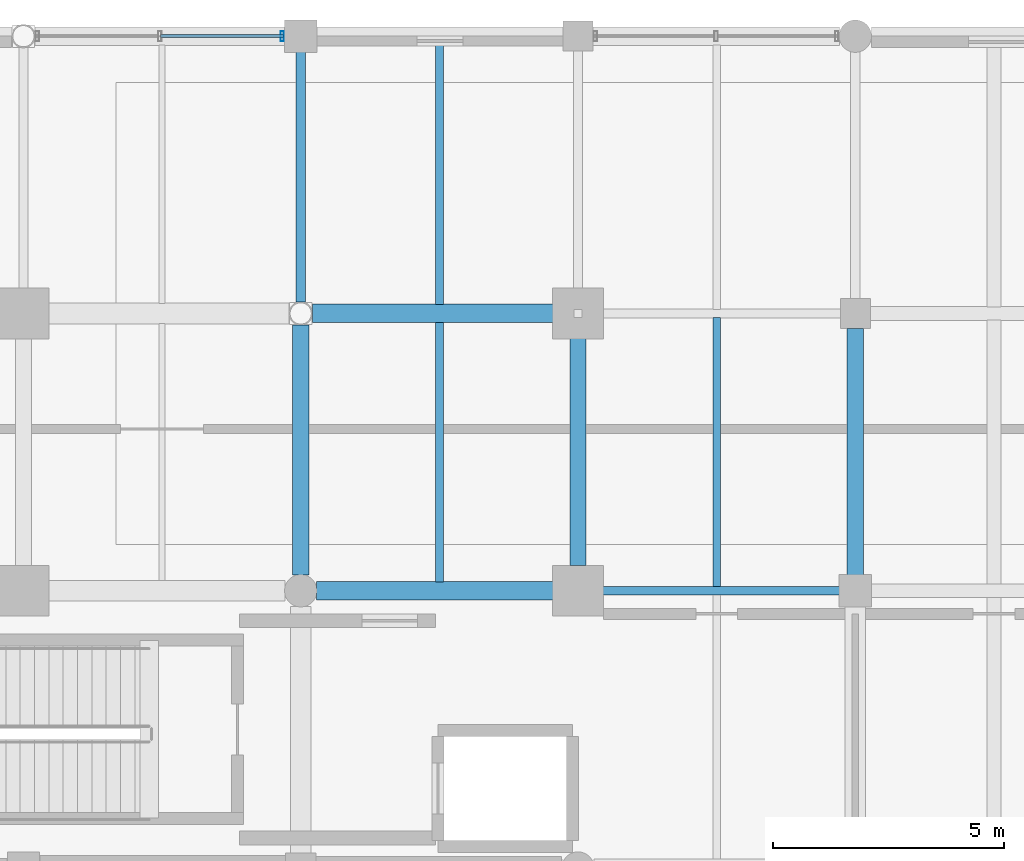
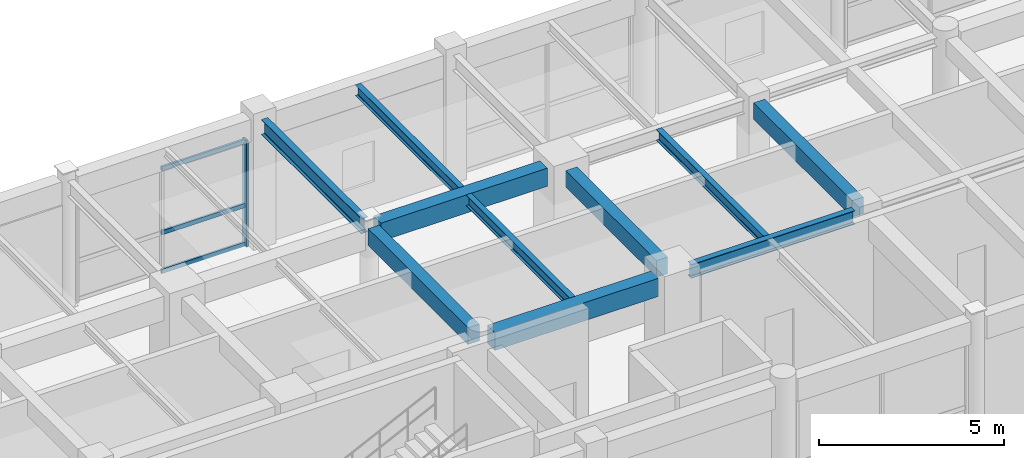
# One storey, part 45 of 116: 10 beams, 4 members, 1 element without a shape of its own.
"""IFC4 building model written with IfcOpenShell, lengths in metres."""

from ifc_helpers import new_model, si_unit, direction, frame, origin, origin_2d, place, context, subcontext, project, spatial, rectangle, hollow_rectangle, i_section, extrude, material, material_profile, profile_set, type_object, element, aggregate, save


model = new_model("IFC4")

# Units and contexts
model_context = context("Model", 3, precision=1e-05, world=origin(), true_north=direction((0.0, 1.0)))
body_context = subcontext(model_context, "Body", "Model", "MODEL_VIEW")
ifc_project = project(units=[si_unit("LENGTHUNIT", "METRE"), si_unit("AREAUNIT", "SQUARE_METRE"), si_unit("VOLUMEUNIT", "CUBIC_METRE"), si_unit("PLANEANGLEUNIT", "RADIAN"), si_unit("MASSUNIT", "GRAM", prefix="KILO"), si_unit("THERMODYNAMICTEMPERATUREUNIT", "KELVIN"), si_unit("POWERUNIT", "WATT")], contexts=[model_context])

# Site, building, storey
site_placement = place(None, origin())
site = spatial("IfcSite", under=ifc_project, at=site_placement, CompositionType="ELEMENT")
building_placement = place(site_placement, origin())
building = spatial("IfcBuilding", under=site, at=building_placement, Name="Phaisarnlok Congress Hotel", CompositionType="ELEMENT")
storey_placement = place(building_placement, frame((0.0, 0.0, 10.5)))
storey = spatial("IfcBuildingStorey", under=building, at=storey_placement, Name="L02", CompositionType="ELEMENT", Elevation=10.5)

# Beams
ifc_material_1 = material(Name="Concrete C40/50", Category="concrete")
ifc_material_profile_1 = material_profile(ifc_material_1, rectangle(XDim=0.35009765625, YDim=0.550048828125, at=origin_2d()), Name="RC 350x550")
ifc_profile_set_1 = profile_set([ifc_material_profile_1], Name="Concrete C40/50")
beam_type_1 = type_object("IfcBeamType", Name="BM-RC-350x550", PredefinedType="BEAM", material=ifc_profile_set_1)
beam_1_placement = place(storey_placement, frame((114.0, 114.344970703125, 3.965087890625), z_axis=(0.0, 1.0, 0.0), x_axis=(-1.0, 0.0, 0.0)))
element("IfcBeam", 1, at=beam_1_placement, inside=storey, type_object=beam_type_1, Name="Beam B-01", PredefinedType="BEAM", context=body_context, shape_type="SweptSolid", body=[
    extrude(rectangle(XDim=0.35009765625, YDim=0.550048828125, at=origin_2d()), origin(), (0.0, 0.0, 1.0), 5.406005859375),
])
beam_2_placement = place(storey_placement, frame((120.0, 114.544921875, 3.965087890625), z_axis=(0.0, 1.0, 0.0), x_axis=(-1.0, 0.0, 0.0)))
element("IfcBeam", 2, at=beam_2_placement, inside=storey, type_object=beam_type_1, Name="Beam B-01", PredefinedType="BEAM", context=body_context, shape_type="SweptSolid", body=[
    extrude(rectangle(XDim=0.35009765625, YDim=0.550048828125, at=origin_2d()), origin(), (0.0, 0.0, 1.0), 4.91015625),
])
beam_3_placement = place(storey_placement, frame((126.0, 114.344970703125, 3.965087890625), z_axis=(0.0, 1.0, 0.0), x_axis=(-1.0, 0.0, 0.0)))
element("IfcBeam", 3, at=beam_3_placement, inside=storey, type_object=beam_type_1, Name="Beam B-01", PredefinedType="BEAM", context=body_context, shape_type="SweptSolid", body=[
    extrude(rectangle(XDim=0.35009765625, YDim=0.550048828125, at=origin_2d()), origin(), (0.0, 0.0, 1.0), 5.3349609375),
])
ifc_material_profile_2 = material_profile(ifc_material_1, rectangle(XDim=0.39990234375, YDim=0.60009765625, at=origin_2d()), Name="RC 400x600")
ifc_profile_set_2 = profile_set([ifc_material_profile_2], Name="Concrete C40/50")
beam_type_2 = type_object("IfcBeamType", Name="BM-RC-400x600", PredefinedType="BEAM", material=ifc_profile_set_2)
beam_4_placement = place(storey_placement, frame((114.344970703125, 114.0, 3.93994140625), z_axis=(1.0, 0.0, 0.0), x_axis=(0.0, 1.0, 0.0)))
element("IfcBeam", 4, at=beam_4_placement, inside=storey, type_object=beam_type_2, Name="Beam B-02", PredefinedType="BEAM", context=body_context, shape_type="SweptSolid", body=[
    extrude(rectangle(XDim=0.39990234375, YDim=0.60009765625, at=origin_2d()), origin(), (0.0, 0.0, 1.0), 5.110107421875),
])
beam_5_placement = place(storey_placement, frame((114.2490234375, 120.0, 3.93994140625), z_axis=(1.0, 0.0, 0.0), x_axis=(0.0, 1.0, 0.0)))
element("IfcBeam", 5, at=beam_5_placement, inside=storey, type_object=beam_type_2, Name="Beam B-02", PredefinedType="BEAM", context=body_context, shape_type="SweptSolid", body=[
    extrude(rectangle(XDim=0.39990234375, YDim=0.60009765625, at=origin_2d()), origin(), (0.0, 0.0, 1.0), 5.2060546875),
])
ifc_material_2 = material(Name="Steel S355", Category="steel")
ifc_material_profile_3 = material_profile(ifc_material_2, i_section(OverallWidth=0.18994140625, OverallDepth=0.449951171875, WebThickness=0.009521484375, FlangeThickness=0.0146484375, FilletRadius=0.02099609375, at=origin_2d()), Name="IPE 450")
ifc_profile_set_3 = profile_set([ifc_material_profile_3], Name="Steel S355")
beam_type_3 = type_object("IfcBeamType", Name="BM-STL-IPE450", PredefinedType="BEAM", material=ifc_profile_set_3)
beam_6_placement = place(storey_placement, frame((120.544921875, 114.0, 4.014892578125), z_axis=(1.0, 0.0, 0.0), x_axis=(0.0, 1.0, 0.0)))
element("IfcBeam", 6, at=beam_6_placement, inside=storey, type_object=beam_type_3, Name="Beam SB-01", PredefinedType="BEAM", context=body_context, shape_type="SweptSolid", body=[
    extrude(i_section(OverallWidth=0.18994140625, OverallDepth=0.449951171875, WebThickness=0.009521484375, FlangeThickness=0.0146484375, FilletRadius=0.02099609375, at=origin_2d()), origin(), (0.0, 0.0, 1.0), 5.110107421875),
])
ifc_material_profile_4 = material_profile(ifc_material_2, i_section(OverallWidth=0.199951171875, OverallDepth=0.5, WebThickness=0.01025390625, FlangeThickness=0.01611328125, FilletRadius=0.02099609375, at=origin_2d()), Name="IPE 500")
ifc_profile_set_4 = profile_set([ifc_material_profile_4], Name="Steel S355")
beam_type_4 = type_object("IfcBeamType", Name="BM-STL-IPE500", PredefinedType="BEAM", material=ifc_profile_set_4)
beam_7_placement = place(storey_placement, frame((114.0, 120.2490234375, 3.989990234375), z_axis=(0.0, 1.0, 0.0), x_axis=(-1.0, 0.0, 0.0)))
element("IfcBeam", 7, at=beam_7_placement, inside=storey, type_object=beam_type_4, Name="Beam SB-02", PredefinedType="BEAM", context=body_context, shape_type="SweptSolid", body=[
    extrude(i_section(OverallWidth=0.199951171875, OverallDepth=0.5, WebThickness=0.01025390625, FlangeThickness=0.01611328125, FilletRadius=0.02099609375, at=origin_2d()), origin(), (0.0, 0.0, 1.0), 5.406005859375),
])

# Curtain wall, members
ifc_material_3 = material(Name="Thermally Broken Unitised Aluminium & Low-E Glazing", Category="aluminium")
curtain_wall_type = type_object("IfcCurtainWallType", Name="CW-UNIT-17", PredefinedType="NOTDEFINED", material=ifc_material_3)
curtain_wall_placement = place(storey_placement, origin())
curtain_wall = element("IfcCurtainWall", 8, at=curtain_wall_placement, inside=storey, type_object=curtain_wall_type, Name="Unitised curtain wall CW-17 (L02)", PredefinedType="NOTDEFINED")
ifc_material_4 = material(Name="Anodised Aluminium Alloy 6063-T6", Category="aluminium")
ifc_material_profile_5 = material_profile(ifc_material_4, hollow_rectangle(XDim=0.074951171875, YDim=0.219970703125, WallThickness=0.0048828125, at=origin_2d()), Name="ALU-M 75x220x5")
ifc_profile_set_5 = profile_set([ifc_material_profile_5], Name="Anodised Aluminium Alloy 6063-T6")
member_type_1 = type_object("IfcMemberType", Name="CWM-220", PredefinedType="MULLION", material=ifc_profile_set_5)
member_1_placement = place(storey_placement, frame((113.60009765625, 126.0, 0.0), z_axis=(0.0, 0.0, 1.0), x_axis=(-1.0, 0.0, 0.0)))
member_1 = element("IfcMember", 9, at=member_1_placement, type_object=member_type_1, Name="Curtain wall mullion CWM-02", PredefinedType="MULLION", context=body_context, shape_type="SweptSolid", body=[
    extrude(hollow_rectangle(XDim=0.074951171875, YDim=0.219970703125, WallThickness=0.0048828125, at=origin_2d()), origin(), (0.0, 0.0, 1.0), 3.489990234375),
])
ifc_material_profile_6 = material_profile(ifc_material_4, hollow_rectangle(XDim=0.06494140625, YDim=0.139892578125, WallThickness=0.00390625, at=origin_2d()), Name="ALU-T 65x140x4")
ifc_profile_set_6 = profile_set([ifc_material_profile_6], Name="Anodised Aluminium Alloy 6063-T6")
member_type_2 = type_object("IfcMemberType", Name="CWT-150", PredefinedType="USERDEFINED", material=ifc_profile_set_6)
member_2_placement = place(storey_placement, frame((113.625, 126.0, 0.050048828125), z_axis=(-1.0, 0.0, 0.0), x_axis=(0.0, -1.0, 0.0)))
member_2 = element("IfcMember", 10, at=member_2_placement, type_object=member_type_2, Name="Curtain wall transom CWT-01", ObjectType="TRANSOM", PredefinedType="USERDEFINED", context=body_context, shape_type="SweptSolid", body=[
    extrude(hollow_rectangle(XDim=0.06494140625, YDim=0.139892578125, WallThickness=0.00390625, at=origin_2d()), origin(), (0.0, 0.0, 1.0), 2.657958984375),
])
member_3_placement = place(storey_placement, frame((113.625, 126.0, 1.326171875), z_axis=(-1.0, 0.0, 0.0), x_axis=(0.0, -1.0, 0.0)))
member_3 = element("IfcMember", 11, at=member_3_placement, type_object=member_type_2, Name="Curtain wall transom CWT-01", ObjectType="TRANSOM", PredefinedType="USERDEFINED", context=body_context, shape_type="SweptSolid", body=[
    extrude(hollow_rectangle(XDim=0.06494140625, YDim=0.139892578125, WallThickness=0.00390625, at=origin_2d()), origin(), (0.0, 0.0, 1.0), 2.657958984375),
])
member_4_placement = place(storey_placement, frame((113.625, 126.0, 3.43994140625), z_axis=(-1.0, 0.0, 0.0), x_axis=(0.0, -1.0, 0.0)))
member_4 = element("IfcMember", 12, at=member_4_placement, type_object=member_type_2, Name="Curtain wall transom CWT-01", ObjectType="TRANSOM", PredefinedType="USERDEFINED", context=body_context, shape_type="SweptSolid", body=[
    extrude(hollow_rectangle(XDim=0.06494140625, YDim=0.139892578125, WallThickness=0.00390625, at=origin_2d()), origin(), (0.0, 0.0, 1.0), 2.657958984375),
])
aggregate(curtain_wall, [member_1, member_2, member_3, member_4])

# Beams
ifc_material_profile_7 = material_profile(ifc_material_2, i_section(OverallWidth=0.169921875, OverallDepth=0.360107421875, WebThickness=0.008056640625, FlangeThickness=0.0126953125, FilletRadius=0.01806640625, at=origin_2d()), Name="IPE 360")
ifc_profile_set_7 = profile_set([ifc_material_profile_7], Name="Steel S355")
beam_type_5 = type_object("IfcBeamType", Name="JS-STL-IPE360", PredefinedType="JOIST", material=ifc_profile_set_7)
for number, where, z_axis, x_axis, name in (
    (13, (117.0, 114.195068359375, 4.06005859375), (0.0, 1.0, 0.0), (-1.0, 0.0, 0.0), "Secondary floor joist J-04"),
    (14, (117.0, 120.195068359375, 4.06005859375), (0.0, 1.0, 0.0), (-1.0, 0.0, 0.0), "Secondary floor joist J-04"),
):
    element("IfcBeam", number, at=place(storey_placement, frame(where, z_axis=z_axis, x_axis=x_axis)), inside=storey, type_object=beam_type_5, Name=name, PredefinedType="JOIST", context=body_context, shape_type="SweptSolid", body=[
        extrude(i_section(OverallWidth=0.169921875, OverallDepth=0.360107421875, WebThickness=0.008056640625, FlangeThickness=0.0126953125, FilletRadius=0.01806640625, at=origin_2d()), origin(), (0.0, 0.0, 1.0), 5.60986328125),
    ])
beam_8_placement = place(storey_placement, frame((123.0, 114.090087890625, 4.06005859375), z_axis=(0.0, 1.0, 0.0), x_axis=(-1.0, 0.0, 0.0)))
element("IfcBeam", 15, at=beam_8_placement, inside=storey, type_object=beam_type_5, Name="Secondary floor joist J-04", PredefinedType="JOIST", context=body_context, shape_type="SweptSolid", body=[
    extrude(i_section(OverallWidth=0.169921875, OverallDepth=0.360107421875, WebThickness=0.008056640625, FlangeThickness=0.0126953125, FilletRadius=0.01806640625, at=origin_2d()), origin(), (0.0, 0.0, 1.0), 5.81982421875),
])

save(model, "model.ifc")
